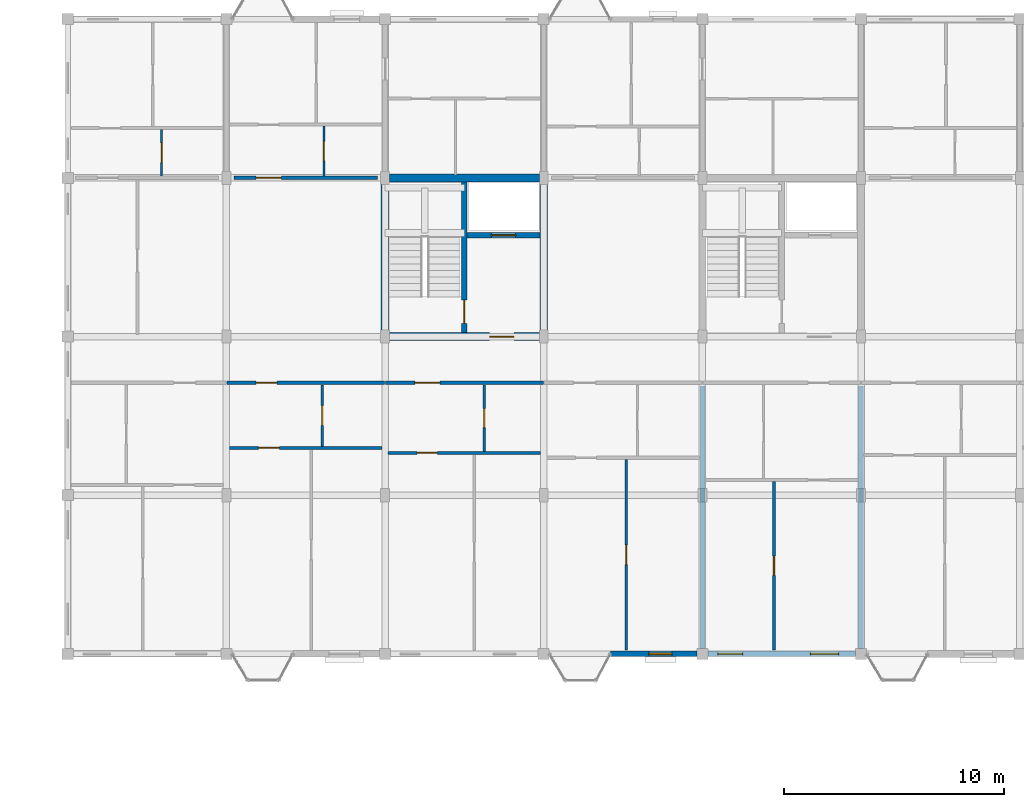
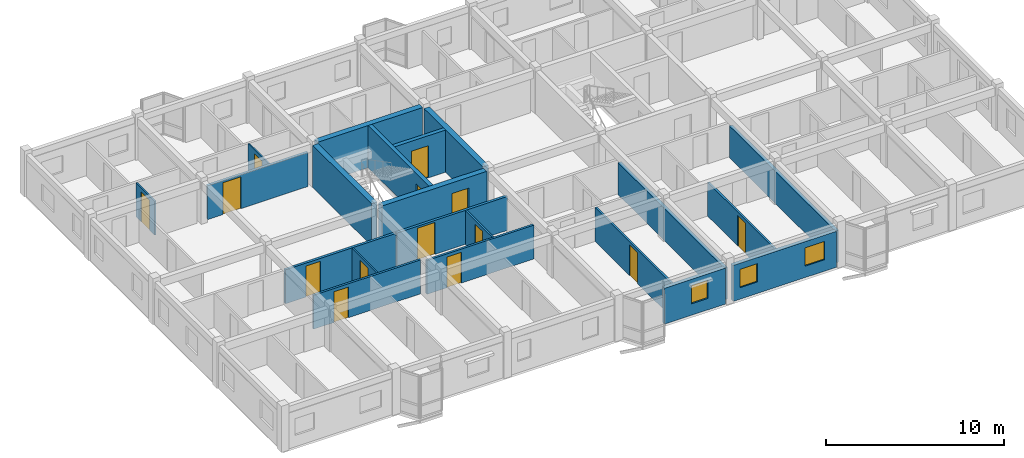
# One storey, part 56 of 65: 21 walls, 14 doors, 3 windows, 17 openings.
"""IFC4 building model written with IfcOpenShell, lengths in metres."""

from ifc_helpers import new_model, si_unit, direction, frame, frame_2d, origin, place, context, subcontext, project, spatial, rectangle, extrude, material, layer, layer_set, type_object, element, fill, save


model = new_model("IFC4")

# Units and contexts
model_context = context("Model", 3, precision=1e-05, world=origin(), true_north=direction((0.0, 1.0)))
body_context = subcontext(model_context, "Body", "Model", "MODEL_VIEW")
ifc_project = project(units=[si_unit("LENGTHUNIT", "METRE"), si_unit("AREAUNIT", "SQUARE_METRE"), si_unit("VOLUMEUNIT", "CUBIC_METRE"), si_unit("PLANEANGLEUNIT", "RADIAN"), si_unit("MASSUNIT", "GRAM", prefix="KILO"), si_unit("THERMODYNAMICTEMPERATUREUNIT", "KELVIN"), si_unit("POWERUNIT", "WATT")], contexts=[model_context])

# Site, building, storey
site_placement = place(None, origin())
site = spatial("IfcSite", under=ifc_project, at=site_placement, CompositionType="ELEMENT")
building_placement = place(site_placement, origin())
building = spatial("IfcBuilding", under=site, at=building_placement, Name="Tavuni Mirador Residences", CompositionType="ELEMENT")
storey_placement = place(building_placement, frame((0.0, 0.0, 29.699951171875)))
storey = spatial("IfcBuildingStorey", under=building, at=storey_placement, Name="L09", CompositionType="ELEMENT", Elevation=29.699951171875)

# Wall, opening, door
ifc_material_1 = material(Name="Precast concrete C40/50", Category="concrete")
ifc_layer_1 = layer(ifc_material_1, 0.25, Name="Precast concrete C40/50", Category="concrete")
ifc_layer_set_1 = layer_set([ifc_layer_1], Name="Precast concrete C40/50")
wall_type_1 = type_object("IfcWallType", Name="WT-COR250", PredefinedType="SHEAR", material=ifc_layer_set_1)
wall_1_placement = place(storey_placement, frame((28.800048828125, 158.580078125, 0.0), z_axis=(0.0, 0.0, 1.0), x_axis=(0.0, 1.0, 0.0)))
wall_1 = element("IfcWall", 1, at=wall_1_placement, inside=storey, type_object=wall_type_1, Name="CWALL-C5-L09-MID", PredefinedType="SHEAR", context=body_context, shape_type="SweptSolid", body=[
    extrude(rectangle(XDim=6.83984375, YDim=0.25, at=frame_2d((3.419921875, 0.0))), origin(), (0.0, 0.0, 1.0), 2.885009765625),
])
opening_1_placement = place(wall_1_placement, frame((0.419921875, 0.0, 0.0)))
opening_1 = element("IfcOpeningElement", 2, at=opening_1_placement, cuts=wall_1, Name="Opening D-01", PredefinedType="OPENING", context=body_context, shape_type="SweptSolid", body=[
    extrude(rectangle(XDim=1.050048828125, YDim=2.14990234375, at=frame_2d((0.52490234375, 1.074951171875))), frame((0.0, 0.135009765625, 0.0), z_axis=(0.0, -1.0, 0.0), x_axis=(1.0, 0.0, 0.0)), (0.0, 0.0, 1.0), 0.27001953125),
])
ifc_material_2 = material(Name="Solid core iroko timber", Category="wood")
door_type_1 = type_object("IfcDoorType", Name="DT-ST1050", OperationType="NOTDEFINED", PredefinedType="DOOR", material=ifc_material_2)
door_1_placement = place(opening_1_placement, origin())
door_1 = element("IfcDoor", 3, at=door_1_placement, inside=storey, type_object=door_type_1, Name="DR-2202", OperationType="SINGLE_SWING_RIGHT", OverallHeight=2.14990234375, OverallWidth=1.050048828125, PredefinedType="DOOR", context=body_context, shape_type="SweptSolid", body=[
    extrude(rectangle(XDim=1.050048828125, YDim=2.14990234375, at=frame_2d((0.52490234375, 1.074951171875))), frame((0.0, 0.02490234375, 0.0), z_axis=(0.0, -1.0, 0.0), x_axis=(1.0, 0.0, 0.0)), (0.0, 0.0, 1.0), 0.050048828125),
])
fill(opening_1, door_1)

wall_2_placement = place(storey_placement, frame((28.925048828125, 163.0, 0.0), z_axis=(0.0, 0.0, 1.0), x_axis=(1.0, 0.0, 0.0)))
wall_2 = element("IfcWall", 4, at=wall_2_placement, inside=storey, type_object=wall_type_1, Name="CWALL-C5-L09-SHF", PredefinedType="SHEAR", context=body_context, shape_type="SweptSolid", body=[
    extrude(rectangle(XDim=3.294921875, YDim=0.25, at=frame_2d((1.6474609375, 0.0))), origin(), (0.0, 0.0, 1.0), 2.885009765625),
])
opening_2_placement = place(wall_2_placement, frame((1.10009765625, 0.0, 0.0)))
opening_2 = element("IfcOpeningElement", 5, at=opening_2_placement, cuts=wall_2, Name="Opening LD-01", PredefinedType="OPENING", context=body_context, shape_type="SweptSolid", body=[
    extrude(rectangle(XDim=1.10009765625, YDim=2.199951171875, at=frame_2d((0.550048828125, 1.10009765625))), frame((0.0, 0.135009765625, 0.0), z_axis=(0.0, -1.0, 0.0), x_axis=(1.0, 0.0, 0.0)), (0.0, 0.0, 1.0), 0.27001953125),
])
ifc_material_3 = material(Name="Structural steel S355", Category="steel")
door_type_2 = type_object("IfcDoorType", Name="DT-LD-FF", OperationType="SLIDING_TO_LEFT", PredefinedType="DOOR", material=ifc_material_3)
door_2_placement = place(opening_2_placement, origin())
door_2 = element("IfcDoor", 6, at=door_2_placement, inside=storey, type_object=door_type_2, Name="Lift landing door FL-C1 L09", OperationType="SLIDING_TO_LEFT", OverallHeight=2.199951171875, OverallWidth=1.10009765625, PredefinedType="DOOR", context=body_context, shape_type="SweptSolid", body=[
    extrude(rectangle(XDim=1.10009765625, YDim=2.199951171875, at=frame_2d((0.550048828125, 1.10009765625))), frame((0.0, 0.02490234375, 0.0), z_axis=(0.0, -1.0, 0.0), x_axis=(1.0, 0.0, 0.0)), (0.0, 0.0, 1.0), 0.050048828125),
])
fill(opening_2, door_2)

# Walls
ifc_layer_2 = layer(ifc_material_1, 0.360107421875, Name="Precast concrete C40/50", Category="concrete")
ifc_layer_set_2 = layer_set([ifc_layer_2], Name="Precast concrete C40/50")
wall_type_2 = type_object("IfcWallType", Name="WT-COR360", PredefinedType="SHEAR", material=ifc_layer_set_2)
wall_3_placement = place(storey_placement, frame((25.199951171875, 158.699951171875, 0.0), z_axis=(0.0, 0.0, 1.0), x_axis=(0.0, 1.0, 0.0)))
element("IfcWall", 7, at=wall_3_placement, inside=storey, type_object=wall_type_2, Name="CWALL-C5-L09-W", PredefinedType="SHEAR", context=body_context, shape_type="SweptSolid", body=[
    extrude(rectangle(XDim=6.60009765625, YDim=0.360107421875, at=frame_2d((3.300048828125, 0.0))), origin(), (0.0, 0.0, 1.0), 2.885009765625),
])
wall_4_placement = place(storey_placement, frame((25.39990234375, 165.60009765625, 0.0), z_axis=(0.0, 0.0, 1.0), x_axis=(1.0, 0.0, 0.0)))
element("IfcWall", 8, at=wall_4_placement, inside=storey, type_object=wall_type_2, Name="CWALL-C5-L09-N", PredefinedType="SHEAR", context=body_context, shape_type="SweptSolid", body=[
    extrude(rectangle(XDim=6.800048828125, YDim=0.360107421875, at=frame_2d((3.39990234375, 0.0))), origin(), (0.0, 0.0, 1.0), 2.885009765625),
])
wall_5_placement = place(storey_placement, frame((32.39990234375, 158.699951171875, 0.0), z_axis=(0.0, 0.0, 1.0), x_axis=(0.0, 1.0, 0.0)))
element("IfcWall", 9, at=wall_5_placement, inside=storey, type_object=wall_type_2, Name="CWALL-C5-L09-E", PredefinedType="SHEAR", context=body_context, shape_type="SweptSolid", body=[
    extrude(rectangle(XDim=6.60009765625, YDim=0.360107421875, at=frame_2d((3.300048828125, 0.0))), origin(), (0.0, 0.0, 1.0), 2.885009765625),
])

# Wall, opening, door
wall_6_placement = place(storey_placement, frame((25.39990234375, 158.39990234375, 0.0), z_axis=(0.0, 0.0, 1.0), x_axis=(1.0, 0.0, 0.0)))
wall_6 = element("IfcWall", 10, at=wall_6_placement, inside=storey, type_object=wall_type_2, Name="CWALL-C5-L09-SS", PredefinedType="SHEAR", context=body_context, shape_type="SweptSolid", body=[
    extrude(rectangle(XDim=6.800048828125, YDim=0.360107421875, at=frame_2d((3.39990234375, 0.0))), origin(), (0.0, 0.0, 1.0), 2.885009765625),
])
opening_3_placement = place(wall_6_placement, frame((4.550048828125, 0.0, 0.0)))
opening_3 = element("IfcOpeningElement", 11, at=opening_3_placement, cuts=wall_6, Name="Opening D-02", PredefinedType="OPENING", context=body_context, shape_type="SweptSolid", body=[
    extrude(rectangle(XDim=1.10009765625, YDim=2.14990234375, at=frame_2d((0.550048828125, 1.074951171875))), frame((0.0, 0.18994140625, 0.0), z_axis=(0.0, -1.0, 0.0), x_axis=(1.0, 0.0, 0.0)), (0.0, 0.0, 1.0), 0.380126953125),
])
door_type_3 = type_object("IfcDoorType", Name="DT-LOB1100", OperationType="NOTDEFINED", PredefinedType="DOOR", material=ifc_material_2)
door_3_placement = place(opening_3_placement, frame((1.10009765625, 0.0, 0.0), z_axis=(0.0, 0.0, 1.0), x_axis=(-1.0, 0.0, 0.0)))
door_3 = element("IfcDoor", 12, at=door_3_placement, inside=storey, type_object=door_type_3, Name="DR-2201", OperationType="SINGLE_SWING_LEFT", OverallHeight=2.14990234375, OverallWidth=1.10009765625, PredefinedType="DOOR", context=body_context, shape_type="SweptSolid", body=[
    extrude(rectangle(XDim=1.10009765625, YDim=2.14990234375, at=frame_2d((0.550048828125, 1.074951171875))), frame((0.0, 0.02490234375, 0.0), z_axis=(0.0, -1.0, 0.0), x_axis=(1.0, 0.0, 0.0)), (0.0, 0.0, 1.0), 0.050048828125),
])
fill(opening_3, door_3)

ifc_layer_3 = layer(ifc_material_1, 0.1650390625, Name="Precast concrete C40/50", Category="concrete")
ifc_layer_set_3 = layer_set([ifc_layer_3], Name="Precast concrete C40/50")
wall_type_3 = type_object("IfcWallType", Name="WT-CORR165", PredefinedType="PARTITIONING", material=ifc_layer_set_3)
wall_7_placement = place(storey_placement, frame((18.02001953125, 156.300048828125, 0.0), z_axis=(0.0, 0.0, 1.0), x_axis=(1.0, 0.0, 0.0)))
wall_7 = element("IfcWall", 13, at=wall_7_placement, inside=storey, type_object=wall_type_3, Name="CORW-BLK-C-L09-0-01", PredefinedType="PARTITIONING", context=body_context, shape_type="SweptSolid", body=[
    extrude(rectangle(XDim=7.159912109375, YDim=0.1650390625, at=frame_2d((3.580078125, 0.0))), origin(), (0.0, 0.0, 1.0), 2.320068359375),
])
opening_4_placement = place(wall_7_placement, frame((1.330078125, 0.0, 0.0)))
opening_4 = element("IfcOpeningElement", 14, at=opening_4_placement, cuts=wall_7, Name="Opening D-19", PredefinedType="OPENING", context=body_context, shape_type="SweptSolid", body=[
    extrude(rectangle(XDim=0.93994140625, YDim=2.1201171875, at=frame_2d((0.469970703125, 1.06005859375))), frame((0.0, 0.092529296875, 0.0), z_axis=(0.0, -1.0, 0.0), x_axis=(1.0, 0.0, 0.0)), (0.0, 0.0, 1.0), 0.18505859375),
])
door_type_4 = type_object("IfcDoorType", Name="DT-FD60-940", OperationType="NOTDEFINED", PredefinedType="DOOR", material=ifc_material_2)
door_4_placement = place(opening_4_placement, origin())
door_4 = element("IfcDoor", 15, at=door_4_placement, inside=storey, type_object=door_type_4, Name="DR-2752", OperationType="SINGLE_SWING_LEFT", OverallHeight=2.1201171875, OverallWidth=0.93994140625, PredefinedType="DOOR", context=body_context, shape_type="SweptSolid", body=[
    extrude(rectangle(XDim=0.93994140625, YDim=2.1201171875, at=frame_2d((0.469970703125, 1.06005859375))), frame((0.0, 0.02490234375, 0.0), z_axis=(0.0, -1.0, 0.0), x_axis=(1.0, 0.0, 0.0)), (0.0, 0.0, 1.0), 0.050048828125),
])
fill(opening_4, door_4)

wall_8_placement = place(storey_placement, frame((25.219970703125, 156.300048828125, 0.0), z_axis=(0.0, 0.0, 1.0), x_axis=(1.0, 0.0, 0.0)))
wall_8 = element("IfcWall", 16, at=wall_8_placement, inside=storey, type_object=wall_type_3, Name="CORW-BLK-C-L09-0-02", PredefinedType="PARTITIONING", context=body_context, shape_type="SweptSolid", body=[
    extrude(rectangle(XDim=7.159912109375, YDim=0.1650390625, at=frame_2d((3.580078125, 0.0))), origin(), (0.0, 0.0, 1.0), 2.320068359375),
])
opening_5_placement = place(wall_8_placement, frame((1.330078125, 0.0, 0.0)))
opening_5 = element("IfcOpeningElement", 17, at=opening_5_placement, cuts=wall_8, Name="Opening D-20", PredefinedType="OPENING", context=body_context, shape_type="SweptSolid", body=[
    extrude(rectangle(XDim=1.139892578125, YDim=2.179931640625, at=frame_2d((0.56982421875, 1.08984375))), frame((0.0, 0.092529296875, 0.0), z_axis=(0.0, -1.0, 0.0), x_axis=(1.0, 0.0, 0.0)), (0.0, 0.0, 1.0), 0.18505859375),
])
door_type_5 = type_object("IfcDoorType", Name="DT-FD60-1140", OperationType="NOTDEFINED", PredefinedType="DOOR", material=ifc_material_2)
door_5_placement = place(opening_5_placement, origin())
door_5 = element("IfcDoor", 18, at=door_5_placement, inside=storey, type_object=door_type_5, Name="DR-2753", OperationType="SINGLE_SWING_RIGHT", OverallHeight=2.179931640625, OverallWidth=1.139892578125, PredefinedType="DOOR", context=body_context, shape_type="SweptSolid", body=[
    extrude(rectangle(XDim=1.139892578125, YDim=2.179931640625, at=frame_2d((0.56982421875, 1.08984375))), frame((0.0, 0.02490234375, 0.0), z_axis=(0.0, -1.0, 0.0), x_axis=(1.0, 0.0, 0.0)), (0.0, 0.0, 1.0), 0.050048828125),
])
fill(opening_5, door_5)

wall_9_placement = place(storey_placement, frame((18.35009765625, 165.60009765625, 0.0), z_axis=(0.0, 0.0, 1.0), x_axis=(1.0, 0.0, 0.0)))
wall_9 = element("IfcWall", 19, at=wall_9_placement, inside=storey, type_object=wall_type_3, Name="CORW-BLK-C-L09-1-01", PredefinedType="PARTITIONING", context=body_context, shape_type="SweptSolid", body=[
    extrude(rectangle(XDim=6.5, YDim=0.1650390625, at=frame_2d((3.25, 0.0))), origin(), (0.0, 0.0, 1.0), 2.320068359375),
])
opening_6_placement = place(wall_9_placement, frame((1.0, 0.0, 0.0)))
opening_6 = element("IfcOpeningElement", 20, at=opening_6_placement, cuts=wall_9, Name="Opening D-20", PredefinedType="OPENING", context=body_context, shape_type="SweptSolid", body=[
    extrude(rectangle(XDim=1.139892578125, YDim=2.179931640625, at=frame_2d((0.56982421875, 1.08984375))), frame((0.0, 0.092529296875, 0.0), z_axis=(0.0, -1.0, 0.0), x_axis=(1.0, 0.0, 0.0)), (0.0, 0.0, 1.0), 0.18505859375),
])
door_6_placement = place(opening_6_placement, origin())
door_6 = element("IfcDoor", 21, at=door_6_placement, inside=storey, type_object=door_type_5, Name="DR-2759", OperationType="SINGLE_SWING_RIGHT", OverallHeight=2.179931640625, OverallWidth=1.139892578125, PredefinedType="DOOR", context=body_context, shape_type="SweptSolid", body=[
    extrude(rectangle(XDim=1.139892578125, YDim=2.179931640625, at=frame_2d((0.56982421875, 1.08984375))), frame((0.0, 0.02490234375, 0.0), z_axis=(0.0, -1.0, 0.0), x_axis=(1.0, 0.0, 0.0)), (0.0, 0.0, 1.0), 0.050048828125),
])
fill(opening_6, door_6)

# Wall, openings, windows
ifc_material_4 = material(Name="Sgraffito lime-rendered precast concrete C40/50", Category="concrete")
ifc_layer_4 = layer(ifc_material_4, 0.2451171875, Name="Sgraffito lime-rendered precast concrete C40/50", Category="concrete")
ifc_layer_set_4 = layer_set([ifc_layer_4], Name="Sgraffito lime-rendered precast concrete C40/50")
wall_type_4 = type_object("IfcWallType", Name="WT-EXT-PC245", PredefinedType="SOLIDWALL", material=ifc_layer_set_4)
wall_10_placement = place(storey_placement, frame((39.85009765625, 144.0, 0.0), z_axis=(0.0, 0.0, 1.0), x_axis=(1.0, 0.0, 0.0)))
wall_10 = element("IfcWall", 22, at=wall_10_placement, inside=storey, type_object=wall_type_4, Name="EW-BLK-C-L09-S04", PredefinedType="SOLIDWALL", context=body_context, shape_type="SweptSolid", body=[
    extrude(rectangle(XDim=6.699951171875, YDim=0.2451171875, at=frame_2d((3.35009765625, 0.0))), origin(), (0.0, 0.0, 1.0), 2.455078125),
])
opening_7_placement = place(wall_10_placement, frame((0.449951171875, 0.0, 0.780029296875)))
opening_7 = element("IfcOpeningElement", 23, at=opening_7_placement, cuts=wall_10, Name="Opening WN-12", PredefinedType="OPENING", context=body_context, shape_type="SweptSolid", body=[
    extrude(rectangle(XDim=1.1201171875, YDim=1.260009765625, at=frame_2d((0.56005859375, 0.6298828125))), frame((0.0, 0.132568359375, 0.0), z_axis=(0.0, -1.0, 0.0), x_axis=(1.0, 0.0, 0.0)), (0.0, 0.0, 1.0), 0.26513671875),
])
opening_8_placement = place(wall_10_placement, frame((4.64990234375, 0.0, 0.780029296875)))
opening_8 = element("IfcOpeningElement", 24, at=opening_8_placement, cuts=wall_10, Name="Opening WN-14", PredefinedType="OPENING", context=body_context, shape_type="SweptSolid", body=[
    extrude(rectangle(XDim=1.280029296875, YDim=1.260009765625, at=frame_2d((0.64013671875, 0.6298828125))), frame((0.0, 0.132568359375, 0.0), z_axis=(0.0, -1.0, 0.0), x_axis=(1.0, 0.0, 0.0)), (0.0, 0.0, 1.0), 0.26513671875),
])
ifc_material_5 = material(Name="Laminated solar-control glass", Category="glass")
window_type_1 = type_object("IfcWindowType", Name="WNT-12", PartitioningType="SINGLE_PANEL", PredefinedType="WINDOW", material=ifc_material_5)
window_1_placement = place(opening_7_placement, origin())
window_1 = element("IfcWindow", 25, at=window_1_placement, inside=storey, type_object=window_type_1, Name="WIN-1232", OverallHeight=1.260009765625, OverallWidth=1.1201171875, PartitioningType="SINGLE_PANEL", PredefinedType="WINDOW", context=body_context, shape_type="SweptSolid", body=[
    extrude(rectangle(XDim=1.1201171875, YDim=1.260009765625, at=frame_2d((0.56005859375, 0.6298828125))), frame((0.0, 0.030029296875, 0.0), z_axis=(0.0, -1.0, 0.0), x_axis=(1.0, 0.0, 0.0)), (0.0, 0.0, 1.0), 0.06005859375),
])
fill(opening_7, window_1)
window_type_2 = type_object("IfcWindowType", Name="WNT-14", PartitioningType="SINGLE_PANEL", PredefinedType="WINDOW", material=ifc_material_5)
window_2_placement = place(opening_8_placement, origin())
window_2 = element("IfcWindow", 26, at=window_2_placement, inside=storey, type_object=window_type_2, Name="WIN-1233", OverallHeight=1.260009765625, OverallWidth=1.280029296875, PartitioningType="SINGLE_PANEL", PredefinedType="WINDOW", context=body_context, shape_type="SweptSolid", body=[
    extrude(rectangle(XDim=1.280029296875, YDim=1.260009765625, at=frame_2d((0.64013671875, 0.6298828125))), frame((0.0, 0.030029296875, 0.0), z_axis=(0.0, -1.0, 0.0), x_axis=(1.0, 0.0, 0.0)), (0.0, 0.0, 1.0), 0.06005859375),
])
fill(opening_8, window_2)

# Wall, opening, window
ifc_layer_5 = layer(ifc_material_4, 0.2548828125, Name="Sgraffito lime-rendered precast concrete C40/50", Category="concrete")
ifc_layer_set_5 = layer_set([ifc_layer_5], Name="Sgraffito lime-rendered precast concrete C40/50")
wall_type_5 = type_object("IfcWallType", Name="WT-EXT-PC255", PredefinedType="SOLIDWALL", material=ifc_layer_set_5)
wall_11_placement = place(storey_placement, frame((35.419921875, 144.0, 0.0), z_axis=(0.0, 0.0, 1.0), x_axis=(1.0, 0.0, 0.0)))
wall_11 = element("IfcWall", 27, at=wall_11_placement, inside=storey, type_object=wall_type_5, Name="EW-BLK-C-L09-S03", PredefinedType="SOLIDWALL", context=body_context, shape_type="SweptSolid", body=[
    extrude(rectangle(XDim=3.93017578125, YDim=0.2548828125, at=frame_2d((1.965087890625, 0.0))), origin(), (0.0, 0.0, 1.0), 2.455078125),
])
opening_9_placement = place(wall_11_placement, frame((1.7548828125, 0.0, 0.780029296875)))
opening_9 = element("IfcOpeningElement", 28, at=opening_9_placement, cuts=wall_11, Name="Opening WN-11", PredefinedType="OPENING", context=body_context, shape_type="SweptSolid", body=[
    extrude(rectangle(XDim=1.0400390625, YDim=1.260009765625, at=frame_2d((0.52001953125, 0.6298828125))), frame((0.0, 0.137451171875, 0.0), z_axis=(0.0, -1.0, 0.0), x_axis=(1.0, 0.0, 0.0)), (0.0, 0.0, 1.0), 0.27490234375),
])
window_type_3 = type_object("IfcWindowType", Name="WNT-11", PartitioningType="SINGLE_PANEL", PredefinedType="WINDOW", material=ifc_material_5)
window_3_placement = place(opening_9_placement, origin())
window_3 = element("IfcWindow", 29, at=window_3_placement, inside=storey, type_object=window_type_3, Name="WIN-1231", OverallHeight=1.260009765625, OverallWidth=1.0400390625, PartitioningType="SINGLE_PANEL", PredefinedType="WINDOW", context=body_context, shape_type="SweptSolid", body=[
    extrude(rectangle(XDim=1.0400390625, YDim=1.260009765625, at=frame_2d((0.52001953125, 0.6298828125))), frame((0.0, 0.030029296875, 0.0), z_axis=(0.0, -1.0, 0.0), x_axis=(1.0, 0.0, 0.0)), (0.0, 0.0, 1.0), 0.06005859375),
])
fill(opening_9, window_3)

# Wall, opening, door
ifc_material_6 = material(Name="Acoustic gypsum and concrete block partition", Category="concrete")
ifc_layer_6 = layer(ifc_material_6, 0.094970703125, Name="Acoustic gypsum and concrete block partition", Category="concrete")
ifc_layer_set_6 = layer_set([ifc_layer_6], Name="Acoustic gypsum and concrete block partition")
wall_type_6 = type_object("IfcWallType", Name="WT-PART095", PredefinedType="PARTITIONING", material=ifc_layer_set_6)
wall_12_placement = place(storey_placement, frame((15.06005859375, 165.68994140625, 0.0), z_axis=(0.0, 0.0, 1.0), x_axis=(0.0, 1.0, 0.0)))
wall_12 = element("IfcWall", 30, at=wall_12_placement, inside=storey, type_object=wall_type_6, Name="PW-BLK-C-L09-N00-IN1", PredefinedType="PARTITIONING", context=body_context, shape_type="SweptSolid", body=[
    extrude(rectangle(XDim=2.10009765625, YDim=0.094970703125, at=frame_2d((1.050048828125, 0.0))), origin(), (0.0, 0.0, 1.0), 2.320068359375),
])
opening_10_placement = place(wall_12_placement, frame((0.60009765625, 0.0, 0.0)))
opening_10 = element("IfcOpeningElement", 31, at=opening_10_placement, cuts=wall_12, Name="Opening D-09", PredefinedType="OPENING", context=body_context, shape_type="SweptSolid", body=[
    extrude(rectangle(XDim=0.89990234375, YDim=2.050048828125, at=frame_2d((0.449951171875, 1.02490234375))), frame((0.0, 0.0576171875, 0.0), z_axis=(0.0, -1.0, 0.0), x_axis=(1.0, 0.0, 0.0)), (0.0, 0.0, 1.0), 0.114990234375),
])
door_type_6 = type_object("IfcDoorType", Name="DT-WC900", OperationType="NOTDEFINED", PredefinedType="DOOR", material=ifc_material_2)
door_7_placement = place(opening_10_placement, origin())
door_7 = element("IfcDoor", 32, at=door_7_placement, inside=storey, type_object=door_type_6, Name="DR-4118", OperationType="SINGLE_SWING_LEFT", OverallHeight=2.050048828125, OverallWidth=0.89990234375, PredefinedType="DOOR", context=body_context, shape_type="SweptSolid", body=[
    extrude(rectangle(XDim=0.89990234375, YDim=2.050048828125, at=frame_2d((0.449951171875, 1.02490234375))), frame((0.0, 0.02490234375, 0.0), z_axis=(0.0, -1.0, 0.0), x_axis=(1.0, 0.0, 0.0)), (0.0, 0.0, 1.0), 0.050048828125),
])
fill(opening_10, door_7)

wall_13_placement = place(storey_placement, frame((22.419921875, 165.68994140625, 0.0), z_axis=(0.0, 0.0, 1.0), x_axis=(0.0, 1.0, 0.0)))
wall_13 = element("IfcWall", 33, at=wall_13_placement, inside=storey, type_object=wall_type_6, Name="PW-BLK-C-L09-N01-IN1", PredefinedType="PARTITIONING", context=body_context, shape_type="SweptSolid", body=[
    extrude(rectangle(XDim=2.260009765625, YDim=0.094970703125, at=frame_2d((1.1298828125, 0.0))), origin(), (0.0, 0.0, 1.0), 2.320068359375),
])
opening_11_placement = place(wall_13_placement, frame((0.695068359375, 0.0, 0.0)))
opening_11 = element("IfcOpeningElement", 34, at=opening_11_placement, cuts=wall_13, Name="Opening D-10", PredefinedType="OPENING", context=body_context, shape_type="SweptSolid", body=[
    extrude(rectangle(XDim=0.8701171875, YDim=2.050048828125, at=frame_2d((0.43505859375, 1.02490234375))), frame((0.0, 0.0576171875, 0.0), z_axis=(0.0, -1.0, 0.0), x_axis=(1.0, 0.0, 0.0)), (0.0, 0.0, 1.0), 0.114990234375),
])
door_type_7 = type_object("IfcDoorType", Name="DT-WC870", OperationType="NOTDEFINED", PredefinedType="DOOR", material=ifc_material_2)
door_8_placement = place(opening_11_placement, origin())
door_8 = element("IfcDoor", 35, at=door_8_placement, inside=storey, type_object=door_type_7, Name="DR-4124", OperationType="SINGLE_SWING_RIGHT", OverallHeight=2.050048828125, OverallWidth=0.8701171875, PredefinedType="DOOR", context=body_context, shape_type="SweptSolid", body=[
    extrude(rectangle(XDim=0.8701171875, YDim=2.050048828125, at=frame_2d((0.43505859375, 1.02490234375))), frame((0.0, 0.02490234375, 0.0), z_axis=(0.0, -1.0, 0.0), x_axis=(1.0, 0.0, 0.0)), (0.0, 0.0, 1.0), 0.050048828125),
])
fill(opening_11, door_8)

ifc_layer_7 = layer(ifc_material_6, 0.10498046875, Name="Acoustic gypsum and concrete block partition", Category="concrete")
ifc_layer_set_7 = layer_set([ifc_layer_7], Name="Acoustic gypsum and concrete block partition")
wall_type_7 = type_object("IfcWallType", Name="WT-PART105", PredefinedType="PARTITIONING", material=ifc_layer_set_7)
wall_14_placement = place(storey_placement, frame((22.35009765625, 153.419921875, 0.0), z_axis=(0.0, 0.0, 1.0), x_axis=(0.0, 1.0, 0.0)))
wall_14 = element("IfcWall", 36, at=wall_14_placement, inside=storey, type_object=wall_type_7, Name="PW-BLK-C-L09-S01-IN1", PredefinedType="PARTITIONING", context=body_context, shape_type="SweptSolid", body=[
    extrude(rectangle(XDim=2.7900390625, YDim=0.10498046875, at=frame_2d((1.39501953125, 0.0))), origin(), (0.0, 0.0, 1.0), 2.320068359375),
])
opening_12_placement = place(wall_14_placement, frame((0.945068359375, 0.0, 0.0)))
opening_12 = element("IfcOpeningElement", 37, at=opening_12_placement, cuts=wall_14, Name="Opening D-09", PredefinedType="OPENING", context=body_context, shape_type="SweptSolid", body=[
    extrude(rectangle(XDim=0.89990234375, YDim=2.050048828125, at=frame_2d((0.449951171875, 1.02490234375))), frame((0.0, 0.0625, 0.0), z_axis=(0.0, -1.0, 0.0), x_axis=(1.0, 0.0, 0.0)), (0.0, 0.0, 1.0), 0.125),
])
door_9_placement = place(opening_12_placement, origin())
door_9 = element("IfcDoor", 38, at=door_9_placement, inside=storey, type_object=door_type_6, Name="DR-4121", OperationType="SINGLE_SWING_LEFT", OverallHeight=2.050048828125, OverallWidth=0.89990234375, PredefinedType="DOOR", context=body_context, shape_type="SweptSolid", body=[
    extrude(rectangle(XDim=0.89990234375, YDim=2.050048828125, at=frame_2d((0.449951171875, 1.02490234375))), frame((0.0, 0.02490234375, 0.0), z_axis=(0.0, -1.0, 0.0), x_axis=(1.0, 0.0, 0.0)), (0.0, 0.0, 1.0), 0.050048828125),
])
fill(opening_12, door_9)

wall_15_placement = place(storey_placement, frame((29.699951171875, 153.18994140625, 0.0), z_axis=(0.0, 0.0, 1.0), x_axis=(0.0, 1.0, 0.0)))
wall_15 = element("IfcWall", 39, at=wall_15_placement, inside=storey, type_object=wall_type_7, Name="PW-BLK-C-L09-S02-IN1", PredefinedType="PARTITIONING", context=body_context, shape_type="SweptSolid", body=[
    extrude(rectangle(XDim=3.02001953125, YDim=0.10498046875, at=frame_2d((1.510009765625, 0.0))), origin(), (0.0, 0.0, 1.0), 2.320068359375),
])
opening_13_placement = place(wall_15_placement, frame((1.074951171875, 0.0, 0.0)))
opening_13 = element("IfcOpeningElement", 40, at=opening_13_placement, cuts=wall_15, Name="Opening D-10", PredefinedType="OPENING", context=body_context, shape_type="SweptSolid", body=[
    extrude(rectangle(XDim=0.8701171875, YDim=2.050048828125, at=frame_2d((0.43505859375, 1.02490234375))), frame((0.0, 0.0625, 0.0), z_axis=(0.0, -1.0, 0.0), x_axis=(1.0, 0.0, 0.0)), (0.0, 0.0, 1.0), 0.125),
])
door_10_placement = place(opening_13_placement, origin())
door_10 = element("IfcDoor", 41, at=door_10_placement, inside=storey, type_object=door_type_7, Name="DR-4127", OperationType="SINGLE_SWING_RIGHT", OverallHeight=2.050048828125, OverallWidth=0.8701171875, PredefinedType="DOOR", context=body_context, shape_type="SweptSolid", body=[
    extrude(rectangle(XDim=0.8701171875, YDim=2.050048828125, at=frame_2d((0.43505859375, 1.02490234375))), frame((0.0, 0.02490234375, 0.0), z_axis=(0.0, -1.0, 0.0), x_axis=(1.0, 0.0, 0.0)), (0.0, 0.0, 1.0), 0.050048828125),
])
fill(opening_13, door_10)

ifc_layer_8 = layer(ifc_material_6, 0.125, Name="Acoustic gypsum and concrete block partition", Category="concrete")
ifc_layer_set_8 = layer_set([ifc_layer_8], Name="Acoustic gypsum and concrete block partition")
wall_type_8 = type_object("IfcWallType", Name="WT-PART125", PredefinedType="PARTITIONING", material=ifc_layer_set_8)
wall_16_placement = place(storey_placement, frame((36.14990234375, 144.175048828125, 0.0), z_axis=(0.0, 0.0, 1.0), x_axis=(0.0, 1.0, 0.0)))
wall_16 = element("IfcWall", 42, at=wall_16_placement, inside=storey, type_object=wall_type_8, Name="PW-BLK-C-L09-S03-OUT", PredefinedType="PARTITIONING", context=body_context, shape_type="SweptSolid", body=[
    extrude(rectangle(XDim=8.655029296875, YDim=0.125, at=frame_2d((4.32763671875, 0.0))), origin(), (0.0, 0.0, 1.0), 2.320068359375),
])
opening_14_placement = place(wall_16_placement, frame((3.87744140625, 0.0, 0.0)))
opening_14 = element("IfcOpeningElement", 43, at=opening_14_placement, cuts=wall_16, Name="Opening D-07", PredefinedType="OPENING", context=body_context, shape_type="SweptSolid", body=[
    extrude(rectangle(XDim=0.89990234375, YDim=2.10009765625, at=frame_2d((0.449951171875, 1.050048828125))), frame((0.0, 0.072509765625, 0.0), z_axis=(0.0, -1.0, 0.0), x_axis=(1.0, 0.0, 0.0)), (0.0, 0.0, 1.0), 0.14501953125),
])
door_type_8 = type_object("IfcDoorType", Name="DT-BED900", OperationType="NOTDEFINED", PredefinedType="DOOR", material=ifc_material_2)
door_11_placement = place(opening_14_placement, origin())
door_11 = element("IfcDoor", 44, at=door_11_placement, inside=storey, type_object=door_type_8, Name="DR-4131", OperationType="SINGLE_SWING_RIGHT", OverallHeight=2.10009765625, OverallWidth=0.89990234375, PredefinedType="DOOR", context=body_context, shape_type="SweptSolid", body=[
    extrude(rectangle(XDim=0.89990234375, YDim=2.10009765625, at=frame_2d((0.449951171875, 1.050048828125))), frame((0.0, 0.02490234375, 0.0), z_axis=(0.0, -1.0, 0.0), x_axis=(1.0, 0.0, 0.0)), (0.0, 0.0, 1.0), 0.050048828125),
])
fill(opening_14, door_11)

wall_17_placement = place(storey_placement, frame((42.85009765625, 144.175048828125, 0.0), z_axis=(0.0, 0.0, 1.0), x_axis=(0.0, 1.0, 0.0)))
wall_17 = element("IfcWall", 45, at=wall_17_placement, inside=storey, type_object=wall_type_8, Name="PW-BLK-C-L09-S04-OUT", PredefinedType="PARTITIONING", context=body_context, shape_type="SweptSolid", body=[
    extrude(rectangle(XDim=7.64501953125, YDim=0.125, at=frame_2d((3.822509765625, 0.0))), origin(), (0.0, 0.0, 1.0), 2.320068359375),
])
opening_15_placement = place(wall_17_placement, frame((3.382568359375, 0.0, 0.0)))
opening_15 = element("IfcOpeningElement", 46, at=opening_15_placement, cuts=wall_17, Name="Opening D-08", PredefinedType="OPENING", context=body_context, shape_type="SweptSolid", body=[
    extrude(rectangle(XDim=0.8798828125, YDim=2.080078125, at=frame_2d((0.43994140625, 1.0400390625))), frame((0.0, 0.072509765625, 0.0), z_axis=(0.0, -1.0, 0.0), x_axis=(1.0, 0.0, 0.0)), (0.0, 0.0, 1.0), 0.14501953125),
])
door_type_9 = type_object("IfcDoorType", Name="DT-BED880", OperationType="NOTDEFINED", PredefinedType="DOOR", material=ifc_material_2)
door_12_placement = place(opening_15_placement, origin())
door_12 = element("IfcDoor", 47, at=door_12_placement, inside=storey, type_object=door_type_9, Name="DR-4137", OperationType="SINGLE_SWING_LEFT", OverallHeight=2.080078125, OverallWidth=0.8798828125, PredefinedType="DOOR", context=body_context, shape_type="SweptSolid", body=[
    extrude(rectangle(XDim=0.8798828125, YDim=2.080078125, at=frame_2d((0.43994140625, 1.0400390625))), frame((0.0, 0.02490234375, 0.0), z_axis=(0.0, -1.0, 0.0), x_axis=(1.0, 0.0, 0.0)), (0.0, 0.0, 1.0), 0.050048828125),
])
fill(opening_15, door_12)

ifc_layer_9 = layer(ifc_material_6, 0.139892578125, Name="Acoustic gypsum and concrete block partition", Category="concrete")
ifc_layer_set_9 = layer_set([ifc_layer_9], Name="Acoustic gypsum and concrete block partition")
wall_type_9 = type_object("IfcWallType", Name="WT-PART140", PredefinedType="PARTITIONING", material=ifc_layer_set_9)
wall_18_placement = place(storey_placement, frame((18.139892578125, 153.35009765625, 0.0), z_axis=(0.0, 0.0, 1.0), x_axis=(1.0, 0.0, 0.0)))
wall_18 = element("IfcWall", 48, at=wall_18_placement, inside=storey, type_object=wall_type_9, Name="PW-BLK-C-L09-S01-MID", PredefinedType="PARTITIONING", context=body_context, shape_type="SweptSolid", body=[
    extrude(rectangle(XDim=6.920166015625, YDim=0.139892578125, at=frame_2d((3.4599609375, 0.0))), origin(), (0.0, 0.0, 1.0), 2.320068359375),
])
opening_16_placement = place(wall_18_placement, frame((1.31005859375, 0.0, 0.0)))
opening_16 = element("IfcOpeningElement", 49, at=opening_16_placement, cuts=wall_18, Name="Opening D-05", PredefinedType="OPENING", context=body_context, shape_type="SweptSolid", body=[
    extrude(rectangle(XDim=0.949951171875, YDim=2.10009765625, at=frame_2d((0.47509765625, 1.050048828125))), frame((0.0, 0.080078125, 0.0), z_axis=(0.0, -1.0, 0.0), x_axis=(1.0, 0.0, 0.0)), (0.0, 0.0, 1.0), 0.159912109375),
])
door_type_10 = type_object("IfcDoorType", Name="DT-INT950", OperationType="NOTDEFINED", PredefinedType="DOOR", material=ifc_material_2)
door_13_placement = place(opening_16_placement, origin())
door_13 = element("IfcDoor", 50, at=door_13_placement, inside=storey, type_object=door_type_10, Name="DR-4122", OperationType="SINGLE_SWING_LEFT", OverallHeight=2.10009765625, OverallWidth=0.949951171875, PredefinedType="DOOR", context=body_context, shape_type="SweptSolid", body=[
    extrude(rectangle(XDim=0.949951171875, YDim=2.10009765625, at=frame_2d((0.47509765625, 1.050048828125))), frame((0.0, 0.02490234375, 0.0), z_axis=(0.0, -1.0, 0.0), x_axis=(1.0, 0.0, 0.0)), (0.0, 0.0, 1.0), 0.050048828125),
])
fill(opening_16, door_13)

wall_19_placement = place(storey_placement, frame((25.340087890625, 153.1201171875, 0.0), z_axis=(0.0, 0.0, 1.0), x_axis=(1.0, 0.0, 0.0)))
wall_19 = element("IfcWall", 51, at=wall_19_placement, inside=storey, type_object=wall_type_9, Name="PW-BLK-C-L09-S02-MID", PredefinedType="PARTITIONING", context=body_context, shape_type="SweptSolid", body=[
    extrude(rectangle(XDim=6.919921875, YDim=0.139892578125, at=frame_2d((3.4599609375, 0.0))), origin(), (0.0, 0.0, 1.0), 2.320068359375),
])
opening_17_placement = place(wall_19_placement, frame((1.31005859375, 0.0, 0.0)))
opening_17 = element("IfcOpeningElement", 52, at=opening_17_placement, cuts=wall_19, Name="Opening D-06", PredefinedType="OPENING", context=body_context, shape_type="SweptSolid", body=[
    extrude(rectangle(XDim=0.919921875, YDim=2.10009765625, at=frame_2d((0.4599609375, 1.050048828125))), frame((0.0, 0.080078125, 0.0), z_axis=(0.0, -1.0, 0.0), x_axis=(1.0, 0.0, 0.0)), (0.0, 0.0, 1.0), 0.159912109375),
])
door_type_11 = type_object("IfcDoorType", Name="DT-INT920", OperationType="NOTDEFINED", PredefinedType="DOOR", material=ifc_material_2)
door_14_placement = place(opening_17_placement, origin())
door_14 = element("IfcDoor", 53, at=door_14_placement, inside=storey, type_object=door_type_11, Name="DR-4128", OperationType="SINGLE_SWING_RIGHT", OverallHeight=2.10009765625, OverallWidth=0.919921875, PredefinedType="DOOR", context=body_context, shape_type="SweptSolid", body=[
    extrude(rectangle(XDim=0.919921875, YDim=2.10009765625, at=frame_2d((0.4599609375, 1.050048828125))), frame((0.0, 0.02490234375, 0.0), z_axis=(0.0, -1.0, 0.0), x_axis=(1.0, 0.0, 0.0)), (0.0, 0.0, 1.0), 0.050048828125),
])
fill(opening_17, door_14)

# Walls
ifc_layer_10 = layer(ifc_material_1, 0.215087890625, Name="Precast concrete C40/50", Category="concrete")
ifc_layer_set_10 = layer_set([ifc_layer_10], Name="Precast concrete C40/50")
wall_type_10 = type_object("IfcWallType", Name="WT-XW215", PredefinedType="SOLIDWALL", material=ifc_layer_set_10)
for number, where, z_axis, x_axis, name in (
    (54, (39.60009765625, 144.25, 0.0), (0.0, 0.0, 1.0), (0.0, 1.0, 0.0), "XW-BLK-C-L09-S-04"),
    (55, (46.800048828125, 144.25, 0.0), (0.0, 0.0, 1.0), (0.0, 1.0, 0.0), "XW-BLK-C-L09-S-05"),
):
    element("IfcWall", number, at=place(storey_placement, frame(where, z_axis=z_axis, x_axis=x_axis)), inside=storey, type_object=wall_type_10, Name=name, PredefinedType="SOLIDWALL", context=body_context, shape_type="SweptSolid", body=[
        extrude(rectangle(XDim=11.89990234375, YDim=0.215087890625, at=frame_2d((5.949951171875, 0.0))), origin(), (0.0, 0.0, 1.0), 2.18505859375),
    ])

save(model, "model.ifc")
